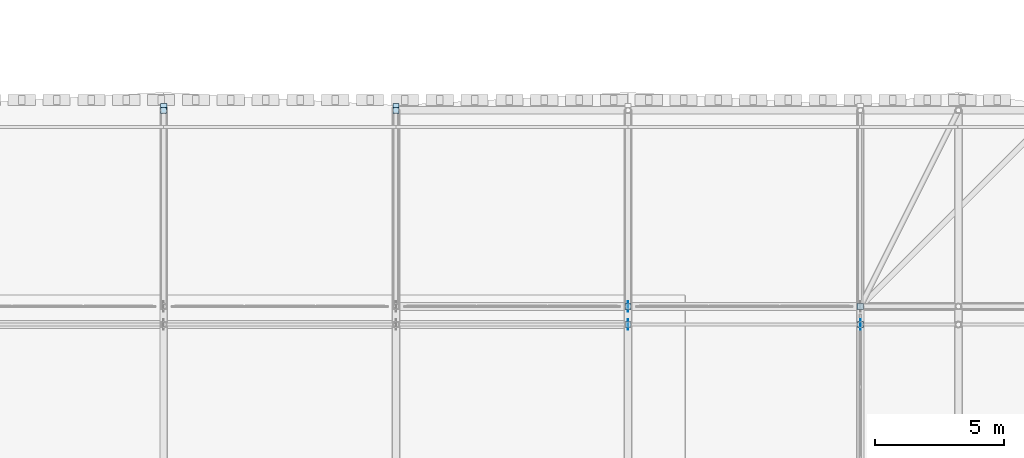
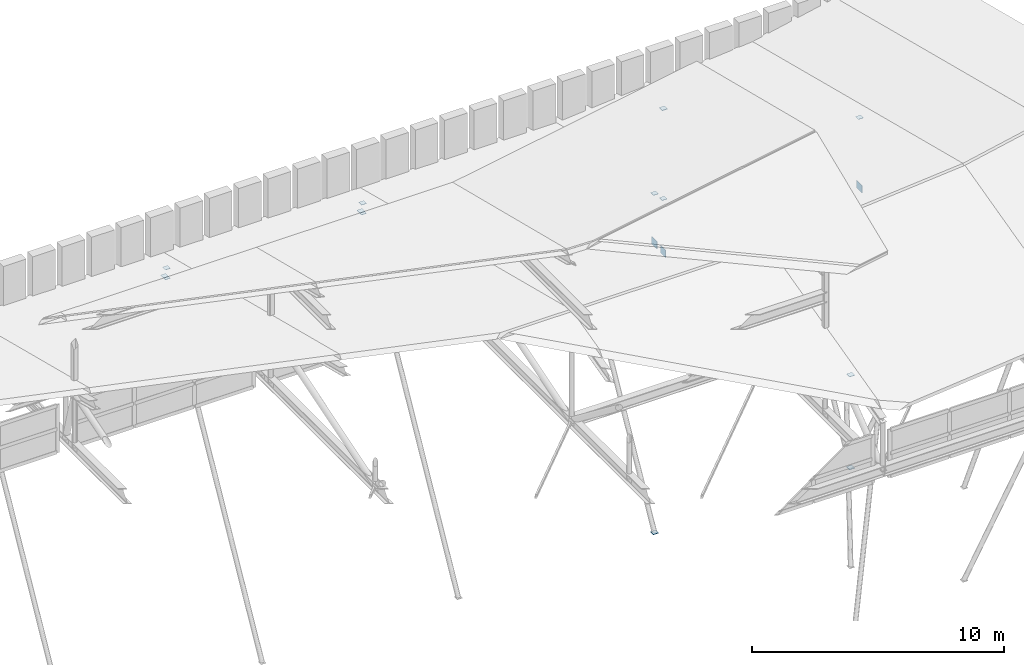
# One storey, part 37 of 42: 16 plates.
"""IFC4 building model written with IfcOpenShell, lengths in metres."""

from ifc_helpers import new_model, si_unit, direction, frame, origin, origin_2d, place, context, subcontext, project, spatial, rectangle, extrude, material, layer, layer_set, type_object, element, save


model = new_model("IFC4")

# Units and contexts
model_context = context("Model", 3, precision=1e-05, world=origin(), true_north=direction((0.0, 1.0)))
body_context = subcontext(model_context, "Body", "Model", "MODEL_VIEW")
ifc_project = project(units=[si_unit("LENGTHUNIT", "METRE"), si_unit("AREAUNIT", "SQUARE_METRE"), si_unit("VOLUMEUNIT", "CUBIC_METRE"), si_unit("PLANEANGLEUNIT", "RADIAN"), si_unit("MASSUNIT", "GRAM", prefix="KILO")], contexts=[model_context])

# Site, building, storey
site_placement = place(None, origin())
site = spatial("IfcSite", under=ifc_project, at=site_placement, CompositionType="ELEMENT")
building_placement = place(site_placement, origin())
building = spatial("IfcBuilding", under=site, at=building_placement, Name="Bozkorgan Art Gallery", CompositionType="ELEMENT")
storey_placement = place(building_placement, frame((0.0, 0.0, 28.800048828125)))
storey = spatial("IfcBuildingStorey", under=building, at=storey_placement, Name="RF", CompositionType="ELEMENT", Elevation=28.800048828125)

# Plates
ifc_material = material(Name="Steel S355J2", Category="steel")
ifc_layer_1 = layer(ifc_material, 0.01611328125, Name="Steel S355J2")
ifc_layer_set_1 = layer_set([ifc_layer_1], Name="Steel S355J2")
plate_type_1 = type_object("IfcPlateType", Name="PLATE-EC-05", PredefinedType="USERDEFINED", material=ifc_layer_set_1)
for number, where, z_axis, x_axis, name in (
    (1, (38.0, 27.60009765625, 0.718505859375), (0.0, 0.0, 1.0), (1.0, 0.0, 0.0), "Truss V1 post cap 5.5"),
    (2, (38.0, 27.60009765625, 0.241943359375), (0.0, 0.0, 1.0), (1.0, 0.0, 0.0), "Truss V1 post base cap 5.5"),
    (3, (47.0, 27.60009765625, 0.718505859375), (0.0, 0.0, 1.0), (1.0, 0.0, 0.0), "Truss V1 post cap 6.5"),
    (4, (47.0, 27.60009765625, 0.241943359375), (0.0, 0.0, 1.0), (1.0, 0.0, 0.0), "Truss V1 post base cap 6.5"),
    (5, (56.0, 19.300048828125, 2.81884765625), (0.0, 0.0, 1.0), (1.0, 0.0, 0.0), "Truss V1 post cap 7.3"),
    (6, (56.0, 20.0, 2.641845703125), (0.0, 0.0, 1.0), (1.0, 0.0, 0.0), "Truss V1 post cap 7.4"),
    (7, (65.0, 19.300048828125, 3.59765625), (0.0, 0.0, 1.0), (1.0, 0.0, 0.0), "Truss V1 post cap 8.3"),
):
    element("IfcPlate", number, at=place(storey_placement, frame(where, z_axis=z_axis, x_axis=x_axis)), inside=storey, type_object=plate_type_1, Name=name, ObjectType="END CAP PLATE", PredefinedType="USERDEFINED", context=body_context, shape_type="SweptSolid", body=[
        extrude(rectangle(XDim=0.22998046875, YDim=0.22998046875, at=origin_2d()), origin(), (0.0, 0.0, 1.0), 0.01611328125),
    ])
ifc_layer_2 = layer(ifc_material, 0.02001953125, Name="Steel S355J2")
ifc_layer_set_2 = layer_set([ifc_layer_2], Name="Steel S355J2")
plate_type_2 = type_object("IfcPlateType", Name="PLATE-EC-24", PredefinedType="USERDEFINED", material=ifc_layer_set_2)
for number, where, z_axis, x_axis, name in (
    (8, (38.0, 27.739990234375, 0.239990234375), (0.0, 0.0, 1.0), (1.0, 0.0, 0.0), "ROOF-V1-MAIN north swept-eave diagonal tree-strut 5 end cap 2"),
    (9, (47.0, 27.739990234375, 0.239990234375), (0.0, 0.0, 1.0), (1.0, 0.0, 0.0), "ROOF-V1-MAIN north swept-eave diagonal tree-strut 6 end cap 2"),
    (10, (56.0, 20.0, -13.81005859375), (0.0, 0.0, 1.0), (1.0, 0.0, 0.0), "ROOF-V1-MAIN north swept-eave diagonal tree-strut 7 end cap 1"),
    (11, (65.0, 20.0, -13.81005859375), (0.0, 0.0, 1.0), (1.0, 0.0, 0.0), "ROOF-V1-MAIN north swept-eave diagonal tree-strut 8 end cap 1"),
    (12, (65.0, 20.0, -9.31005859375), (0.0, 0.0, 1.0), (1.0, 0.0, 0.0), "ROOF-V1-MAIN east mid-overhang diagonal tree-strut 3 end cap 1"),
    (13, (56.0, 19.300048828125, 7.180419921875), (0.0, 0.0, 1.0), (1.0, 0.0, 0.0), "Clerestory V1 post cap 6N"),
):
    element("IfcPlate", number, at=place(storey_placement, frame(where, z_axis=z_axis, x_axis=x_axis)), inside=storey, type_object=plate_type_2, Name=name, ObjectType="END CAP PLATE", PredefinedType="USERDEFINED", context=body_context, shape_type="SweptSolid", body=[
        extrude(rectangle(XDim=0.239990234375, YDim=0.239990234375, at=origin_2d()), origin(), (0.0, 0.0, 1.0), 0.02001953125),
    ])
ifc_layer_3 = layer(ifc_material, 0.02001953125, Name="Steel S355J2")
ifc_layer_set_3 = layer_set([ifc_layer_3], Name="Steel S355J2")
plate_type_3 = type_object("IfcPlateType", Name="PLATE-GP-55", PredefinedType="USERDEFINED", material=ifc_layer_set_3)
for number, where, z_axis, x_axis, name in (
    (14, (56.0, 19.300048828125, 0.06982421875), (0.0, 0.0, 1.0), (1.0, 0.0, 0.0), "Truss V1 span 7 node gusset TN-3"),
    (15, (56.0, 20.0, 0.06982421875), (0.0, 0.0, 1.0), (1.0, 0.0, 0.0), "Truss V1 span 7 node gusset TN-4"),
    (16, (65.0, 19.300048828125, 0.06982421875), (0.0, 0.0, 1.0), (1.0, 0.0, 0.0), "Truss V1 span 8 node gusset TN-3"),
):
    element("IfcPlate", number, at=place(storey_placement, frame(where, z_axis=z_axis, x_axis=x_axis)), inside=storey, type_object=plate_type_3, Name=name, ObjectType="GUSSET PLATE", PredefinedType="USERDEFINED", context=body_context, shape_type="SweptSolid", body=[
        extrude(rectangle(XDim=0.02001953125, YDim=0.419921875, at=origin_2d()), origin(), (0.0, 0.0, 1.0), 0.360107421875),
    ])

save(model, "model.ifc")
